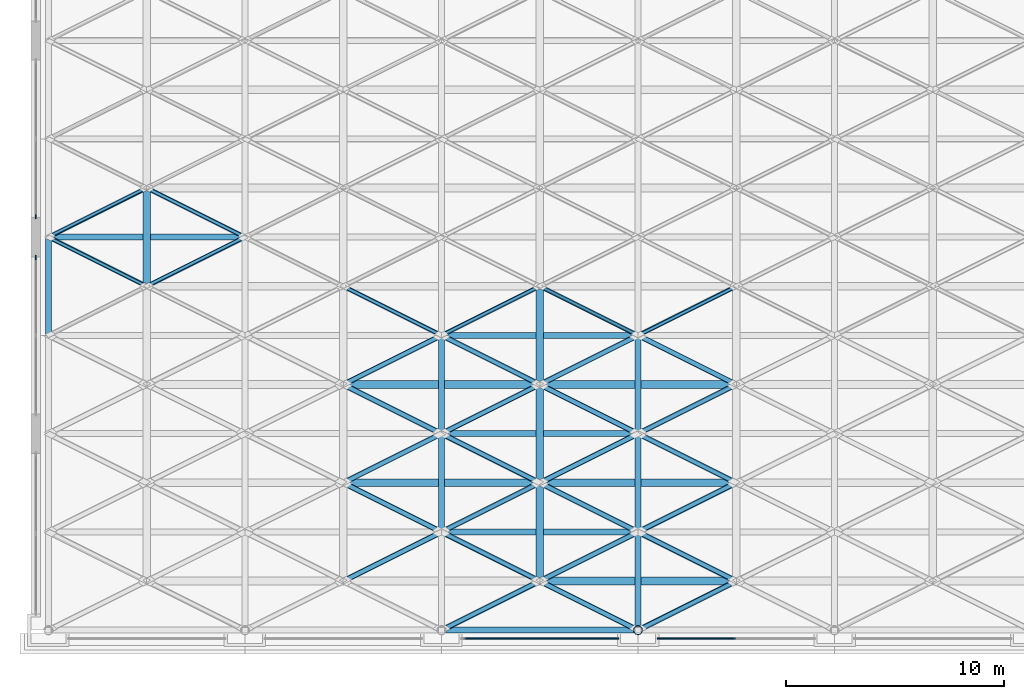
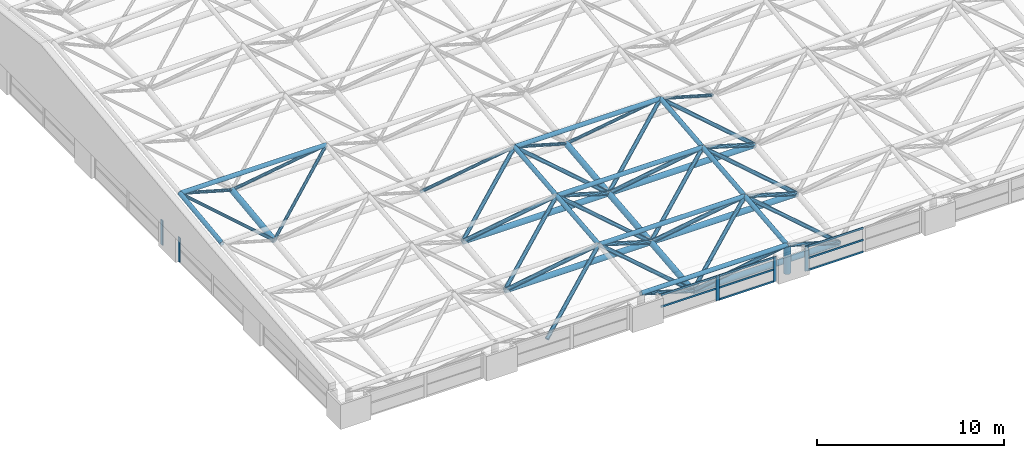
# One storey, part 3 of 53: 65 members, 4 elements without a shape of their own.
"""IFC4 building model written with IfcOpenShell, lengths in metres."""

from ifc_helpers import new_model, si_unit, direction, frame, origin, origin_2d, place, context, subcontext, project, spatial, rectangle, hollow_circle, extrude, material, material_profile, profile_set, type_object, element, aggregate, save


model = new_model("IFC4")

# Units and contexts
model_context = context("Model", 3, precision=1e-05, world=origin(), true_north=direction((0.0, 1.0)))
body_context = subcontext(model_context, "Body", "Model", "MODEL_VIEW")
ifc_project = project(units=[si_unit("LENGTHUNIT", "METRE"), si_unit("AREAUNIT", "SQUARE_METRE"), si_unit("VOLUMEUNIT", "CUBIC_METRE"), si_unit("PLANEANGLEUNIT", "RADIAN"), si_unit("MASSUNIT", "GRAM", prefix="KILO")], contexts=[model_context])

# Site, building, storey
site_placement = place(None, origin())
site = spatial("IfcSite", under=ifc_project, at=site_placement, CompositionType="ELEMENT")
building_placement = place(site_placement, origin())
building = spatial("IfcBuilding", under=site, at=building_placement, Name="Aravalli Gate Trade Fair Centre", CompositionType="ELEMENT")
storey_placement = place(building_placement, frame((0.0, 0.0, 25.199951171875)))
storey = spatial("IfcBuildingStorey", under=building, at=storey_placement, Name="ROOF LEVEL 2", CompositionType="ELEMENT", Elevation=25.199951171875)

# Members
ifc_material_1 = material(Name="Steel E350", Category="steel")
ifc_material_profile_1 = material_profile(ifc_material_1, hollow_circle(Radius=0.096923828125, WallThickness=0.00634765625, at=origin_2d()), Name="CHS 193.7x6.3")
ifc_profile_set_1 = profile_set([ifc_material_profile_1], Name="Steel E350")
member_type_1 = type_object("IfcMemberType", Name="CHS 193.7x6.3", PredefinedType="BRACE", material=ifc_profile_set_1)
for number, where, z_axis, x_axis, name in (
    (1, (24.0, 59.5, 3.150146484375), (0.786469857322, 0.393234928661, -0.476268258867), (-0.4472135955, 0.894427191, 0.0), "Space frame web diagonal D2A"),
    (2, (33.0, 59.5, 3.150146484375), (0.786469857322, 0.393234928661, -0.476268258867), (-0.4472135955, 0.894427191, 0.0), "Space frame web diagonal D2A"),
    (3, (6.0, 64.0, 3.699951171875), (0.786485839543, 0.393242919772, -0.476235267749), (-0.4472135955, 0.894427191, 0.0), "Space frame web diagonal D2A"),
    (4, (24.0, 59.5, 3.150146484375), (-0.786469857322, 0.393234928661, -0.476268258867), (-0.4472135955, -0.894427191, 0.0), "Space frame web diagonal D2B"),
    (5, (33.0, 59.5, 3.150146484375), (-0.786469857322, 0.393234928661, -0.476268258867), (-0.4472135955, -0.894427191, 0.0), "Space frame web diagonal D2B"),
    (6, (15.0, 64.0, 3.699951171875), (-0.786485839543, 0.393242919772, -0.476235267749), (-0.4472135955, -0.894427191, 0.0), "Space frame web diagonal D2B"),
):
    element("IfcMember", number, at=place(storey_placement, frame(where, z_axis=z_axis, x_axis=x_axis)), inside=storey, type_object=member_type_1, Name=name, PredefinedType="BRACE", context=body_context, shape_type="SweptSolid", body=[
        extrude(hollow_circle(Radius=0.096923828125, WallThickness=0.00634765625, at=origin_2d()), origin(), (0.0, 0.0, 1.0), 5.7216796875),
    ])
for number, where, z_axis, x_axis, name in (
    (7, (6.0, 64.0, 3.699951171875), (0.749609832162, -0.374804916081, -0.545533110277), (0.4472135955, 0.894427191, 0.0), "Space frame web diagonal D2C"),
    (8, (15.0, 64.0, 3.699951171875), (-0.749609832162, -0.374804916081, -0.545533110277), (0.4472135955, -0.894427191, 0.0), "Space frame web diagonal D2D"),
):
    element("IfcMember", number, at=place(storey_placement, frame(where, z_axis=z_axis, x_axis=x_axis)), inside=storey, type_object=member_type_1, Name=name, PredefinedType="BRACE", context=body_context, shape_type="SweptSolid", body=[
        extrude(hollow_circle(Radius=0.096923828125, WallThickness=0.00634765625, at=origin_2d()), origin(), (0.0, 0.0, 1.0), 6.003173828125),
    ])
ifc_material_profile_2 = material_profile(ifc_material_1, hollow_circle(Radius=0.122314453125, WallThickness=0.008056640625, at=origin_2d()), Name="CHS 244.5x8")
ifc_profile_set_2 = profile_set([ifc_material_profile_2], Name="Steel E350")
member_type_2 = type_object("IfcMemberType", Name="CHS 244.5x8", PredefinedType="BRACE", material=ifc_profile_set_2)
for number, where, z_axis, x_axis, name in (
    (9, (24.0, 46.0, 1.800048828125), (0.783200147531, 0.391600073766, -0.48295642778), (-0.4472135955, 0.894427191, 0.0), "Space frame web diagonal D1A"),
    (10, (33.0, 46.0, 1.800048828125), (0.783200147531, 0.391600073766, -0.48295642778), (-0.4472135955, 0.894427191, 0.0), "Space frame web diagonal D1A"),
    (11, (24.0, 50.5, 2.25), (0.783200147531, 0.391600073766, -0.48295642778), (-0.4472135955, 0.894427191, 0.0), "Space frame web diagonal D1A"),
    (12, (33.0, 50.5, 2.25), (0.783200147531, 0.391600073766, -0.48295642778), (-0.4472135955, 0.894427191, 0.0), "Space frame web diagonal D1A"),
    (13, (24.0, 55.0, 2.699951171875), (0.783200147531, 0.391600073766, -0.48295642778), (-0.4472135955, 0.894427191, 0.0), "Space frame web diagonal D1A"),
    (14, (33.0, 55.0, 2.699951171875), (0.783200147531, 0.391600073766, -0.48295642778), (-0.4472135955, 0.894427191, 0.0), "Space frame web diagonal D1A"),
    (15, (33.0, 46.0, 1.800048828125), (-0.783200147531, 0.391600073766, -0.48295642778), (-0.4472135955, -0.894427191, 0.0), "Space frame web diagonal D1B"),
    (16, (24.0, 50.5, 2.25), (-0.783200147531, 0.391600073766, -0.48295642778), (-0.4472135955, -0.894427191, 0.0), "Space frame web diagonal D1B"),
    (17, (33.0, 50.5, 2.25), (-0.783200147531, 0.391600073766, -0.48295642778), (-0.4472135955, -0.894427191, 0.0), "Space frame web diagonal D1B"),
    (18, (24.0, 55.0, 2.699951171875), (-0.783200147531, 0.391600073766, -0.48295642778), (-0.4472135955, -0.894427191, 0.0), "Space frame web diagonal D1B"),
    (19, (33.0, 55.0, 2.699951171875), (-0.783200147531, 0.391600073766, -0.48295642778), (-0.4472135955, -0.894427191, 0.0), "Space frame web diagonal D1B"),
):
    element("IfcMember", number, at=place(storey_placement, frame(where, z_axis=z_axis, x_axis=x_axis)), inside=storey, type_object=member_type_2, Name=name, PredefinedType="BRACE", context=body_context, shape_type="SweptSolid", body=[
        extrude(hollow_circle(Radius=0.122314453125, WallThickness=0.008056640625, at=origin_2d()), origin(), (0.0, 0.0, 1.0), 5.74560546875),
    ])
for number, where, z_axis, x_axis, name in (
    (20, (24.0, 50.5, 2.25), (0.753016221047, -0.376508110523, -0.539637112837), (0.4472135955, 0.894427191, 0.0), "Space frame web diagonal D1C"),
    (21, (33.0, 50.5, 2.25), (0.753016221047, -0.376508110523, -0.539637112837), (0.4472135955, 0.894427191, 0.0), "Space frame web diagonal D1C"),
    (22, (24.0, 55.0, 2.699951171875), (0.753016221047, -0.376508110523, -0.539637112837), (0.4472135955, 0.894427191, 0.0), "Space frame web diagonal D1C"),
    (23, (33.0, 55.0, 2.699951171875), (0.753016221047, -0.376508110523, -0.539637112837), (0.4472135955, 0.894427191, 0.0), "Space frame web diagonal D1C"),
    (24, (24.0, 59.5, 3.150146484375), (0.752999619823, -0.376499809912, -0.539666068678), (0.4472135955, 0.894427191, 0.0), "Space frame web diagonal D1C"),
    (25, (33.0, 59.5, 3.150146484375), (0.752999619823, -0.376499809912, -0.539666068678), (0.4472135955, 0.894427191, 0.0), "Space frame web diagonal D1C"),
    (26, (24.0, 50.5, 2.25), (-0.753016221047, -0.376508110523, -0.539637112837), (0.4472135955, -0.894427191, 0.0), "Space frame web diagonal D1D"),
    (27, (33.0, 50.5, 2.25), (-0.753016221047, -0.376508110523, -0.539637112837), (0.4472135955, -0.894427191, 0.0), "Space frame web diagonal D1D"),
    (28, (24.0, 55.0, 2.699951171875), (-0.753016221047, -0.376508110523, -0.539637112837), (0.4472135955, -0.894427191, 0.0), "Space frame web diagonal D1D"),
    (29, (33.0, 55.0, 2.699951171875), (-0.753016221047, -0.376508110523, -0.539637112837), (0.4472135955, -0.894427191, 0.0), "Space frame web diagonal D1D"),
    (30, (24.0, 59.5, 3.150146484375), (-0.752999619823, -0.376499809912, -0.539666068678), (0.4472135955, -0.894427191, 0.0), "Space frame web diagonal D1D"),
    (31, (33.0, 59.5, 3.150146484375), (-0.752999619823, -0.376499809912, -0.539666068678), (0.4472135955, -0.894427191, 0.0), "Space frame web diagonal D1D"),
):
    element("IfcMember", number, at=place(storey_placement, frame(where, z_axis=z_axis, x_axis=x_axis)), inside=storey, type_object=member_type_2, Name=name, PredefinedType="BRACE", context=body_context, shape_type="SweptSolid", body=[
        extrude(hollow_circle(Radius=0.122314453125, WallThickness=0.008056640625, at=origin_2d()), origin(), (0.0, 0.0, 1.0), 5.97607421875),
    ])
ifc_material_profile_3 = material_profile(ifc_material_1, hollow_circle(Radius=0.136474609375, WallThickness=0.010009765625, at=origin_2d()), Name="CHS 273.1x10")
ifc_profile_set_3 = profile_set([ifc_material_profile_3], Name="Steel E350")
member_type_3 = type_object("IfcMemberType", Name="CHS 273.1x10", PredefinedType="CHORD", material=ifc_profile_set_3)
for number, where, z_axis, x_axis, name in (
    (32, (24.0, 50.5, 2.25), (1.0, 0.0, 0.0), (0.0, 1.0, 0.0), "Space frame top chord along the lines T1"),
    (33, (24.0, 55.0, 2.699951171875), (1.0, 0.0, 0.0), (0.0, 1.0, 0.0), "Space frame top chord along the lines T1"),
    (34, (24.0, 59.5, 3.150146484375), (1.0, 0.0, 0.0), (0.0, 1.0, 0.0), "Space frame top chord along the lines T2"),
    (35, (6.0, 64.0, 3.699951171875), (1.0, 0.0, 0.0), (0.0, 1.0, 0.0), "Space frame top chord along the lines T2"),
):
    element("IfcMember", number, at=place(storey_placement, frame(where, z_axis=z_axis, x_axis=x_axis)), inside=storey, type_object=member_type_3, Name=name, PredefinedType="CHORD", context=body_context, shape_type="SweptSolid", body=[
        extrude(hollow_circle(Radius=0.136474609375, WallThickness=0.010009765625, at=origin_2d()), origin(), (0.0, 0.0, 1.0), 9.0),
    ])
for number, where, z_axis, x_axis, name in (
    (36, (24.0, 50.5, 2.25), (0.0, 0.995038259148, 0.099493029059), (-1.0, 0.0, 0.0), "Space frame top chord across the vault Y1"),
    (37, (24.0, 55.0, 2.699951171875), (0.0, 0.995032913332, 0.099546478526), (-1.0, 0.0, 0.0), "Space frame top chord across the vault Y1"),
    (38, (33.0, 46.0, 1.800048828125), (0.0, 0.995038259148, 0.099493029059), (-1.0, 0.0, 0.0), "Space frame top chord across the vault Y1"),
    (39, (33.0, 50.5, 2.25), (0.0, 0.995038259148, 0.099493029059), (-1.0, 0.0, 0.0), "Space frame top chord across the vault Y1"),
    (40, (33.0, 55.0, 2.699951171875), (0.0, 0.995032913332, 0.099546478526), (-1.0, 0.0, 0.0), "Space frame top chord across the vault Y1"),
):
    element("IfcMember", number, at=place(storey_placement, frame(where, z_axis=z_axis, x_axis=x_axis)), inside=storey, type_object=member_type_3, Name=name, PredefinedType="CHORD", context=body_context, shape_type="SweptSolid", body=[
        extrude(hollow_circle(Radius=0.136474609375, WallThickness=0.010009765625, at=origin_2d()), origin(), (0.0, 0.0, 1.0), 4.5224609375),
    ])
ifc_material_profile_4 = material_profile(ifc_material_1, hollow_circle(Radius=0.136474609375, WallThickness=0.01611328125, at=origin_2d()), Name="CHS 273.1x16")
ifc_profile_set_4 = profile_set([ifc_material_profile_4], Name="Steel E350")
member_type_4 = type_object("IfcMemberType", Name="CHS 273.1x16", PredefinedType="CHORD", material=ifc_profile_set_4)
member_1_placement = place(storey_placement, frame((24.0, 46.0, 1.800048828125), z_axis=(1.0, 0.0, 0.0), x_axis=(0.0, 1.0, 0.0)))
element("IfcMember", 41, at=member_1_placement, inside=storey, type_object=member_type_4, Name="Space frame top chord along the lines TE", PredefinedType="CHORD", context=body_context, shape_type="SweptSolid", body=[
    extrude(hollow_circle(Radius=0.136474609375, WallThickness=0.01611328125, at=origin_2d()), origin(), (0.0, 0.0, 1.0), 9.0),
])
member_2_placement = place(storey_placement, frame((6.0, 59.5, 3.150146484375), z_axis=(0.0, 0.992618705116, 0.12127698155), x_axis=(-1.0, 0.0, 0.0)))
element("IfcMember", 42, at=member_2_placement, inside=storey, type_object=member_type_4, Name="Space frame edge chord at the end lines YE2", PredefinedType="CHORD", context=body_context, shape_type="SweptSolid", body=[
    extrude(hollow_circle(Radius=0.136474609375, WallThickness=0.01611328125, at=origin_2d()), origin(), (0.0, 0.0, 1.0), 4.533447265625),
])
ifc_material_profile_5 = material_profile(ifc_material_1, hollow_circle(Radius=0.177734375, WallThickness=0.010009765625, at=origin_2d()), Name="CHS 355.6x10")
ifc_profile_set_5 = profile_set([ifc_material_profile_5], Name="Steel E350")
member_type_5 = type_object("IfcMemberType", Name="CHS 355.6x10", PredefinedType="CHORD", material=ifc_profile_set_5)
for number, where, z_axis, x_axis, name in (
    (43, (19.5, 52.75, -0.52490234375), (1.0, 0.0, 0.0), (0.0, 1.0, 0.0), "Space frame bottom chord along the lines B1"),
    (44, (28.5, 52.75, -0.52490234375), (1.0, 0.0, 0.0), (0.0, 1.0, 0.0), "Space frame bottom chord along the lines B1"),
    (45, (19.5, 57.25, -0.074951171875), (1.0, 0.0, 0.0), (0.0, 1.0, 0.0), "Space frame bottom chord along the lines B1"),
    (46, (28.5, 57.25, -0.074951171875), (1.0, 0.0, 0.0), (0.0, 1.0, 0.0), "Space frame bottom chord along the lines B1"),
):
    element("IfcMember", number, at=place(storey_placement, frame(where, z_axis=z_axis, x_axis=x_axis)), inside=storey, type_object=member_type_5, Name=name, PredefinedType="CHORD", context=body_context, shape_type="SweptSolid", body=[
        extrude(hollow_circle(Radius=0.177734375, WallThickness=0.010009765625, at=origin_2d()), origin(), (0.0, 0.0, 1.0), 9.0),
    ])
for number, where, z_axis, x_axis, name in (
    (47, (28.5, 48.25, -0.974853515625), (0.0, 0.995038259148, 0.099493029059), (-1.0, 0.0, 0.0), "Space frame bottom chord across the vault C1"),
    (48, (28.5, 52.75, -0.52490234375), (0.0, 0.995038259148, 0.099493029059), (-1.0, 0.0, 0.0), "Space frame bottom chord across the vault C1"),
):
    element("IfcMember", number, at=place(storey_placement, frame(where, z_axis=z_axis, x_axis=x_axis)), inside=storey, type_object=member_type_5, Name=name, PredefinedType="CHORD", context=body_context, shape_type="SweptSolid", body=[
        extrude(hollow_circle(Radius=0.177734375, WallThickness=0.010009765625, at=origin_2d()), origin(), (0.0, 0.0, 1.0), 4.5224609375),
    ])
member_3_placement = place(storey_placement, frame((28.5, 57.25, -0.074951171875), z_axis=(0.0, 0.993883734674, 0.110431526075), x_axis=(-1.0, 0.0, 0.0)))
element("IfcMember", 49, at=member_3_placement, inside=storey, type_object=member_type_5, Name="Space frame bottom chord across the vault C2", PredefinedType="CHORD", context=body_context, shape_type="SweptSolid", body=[
    extrude(hollow_circle(Radius=0.177734375, WallThickness=0.010009765625, at=origin_2d()), origin(), (0.0, 0.0, 1.0), 4.527587890625),
])
member_4_placement = place(storey_placement, frame((10.5, 61.75, 0.425048828125), z_axis=(0.0, 0.992612220818, 0.121330041965), x_axis=(-1.0, 0.0, 0.0)))
element("IfcMember", 50, at=member_4_placement, inside=storey, type_object=member_type_5, Name="Space frame bottom chord across the vault C3", PredefinedType="CHORD", context=body_context, shape_type="SweptSolid", body=[
    extrude(hollow_circle(Radius=0.177734375, WallThickness=0.010009765625, at=origin_2d()), origin(), (0.0, 0.0, 1.0), 4.533447265625),
])
ifc_material_profile_6 = material_profile(ifc_material_1, hollow_circle(Radius=0.177734375, WallThickness=0.01611328125, at=origin_2d()), Name="CHS 355.6x16")
ifc_profile_set_6 = profile_set([ifc_material_profile_6], Name="Steel E350")
member_type_6 = type_object("IfcMemberType", Name="CHS 355.6x16", PredefinedType="CHORD", material=ifc_profile_set_6)
member_5_placement = place(storey_placement, frame((28.5, 48.25, -0.974853515625), z_axis=(1.0, 0.0, 0.0), x_axis=(0.0, 1.0, 0.0)))
element("IfcMember", 51, at=member_5_placement, inside=storey, type_object=member_type_6, Name="Space frame bottom chord along the lines BE", PredefinedType="CHORD", context=body_context, shape_type="SweptSolid", body=[
    extrude(hollow_circle(Radius=0.177734375, WallThickness=0.01611328125, at=origin_2d()), origin(), (0.0, 0.0, 1.0), 9.0),
])
ifc_material_profile_7 = material_profile(ifc_material_1, hollow_circle(Radius=0.203125, WallThickness=0.01611328125, at=origin_2d()), Name="CHS 406.4x16")
ifc_profile_set_7 = profile_set([ifc_material_profile_7], Name="Steel E350")
member_type_7 = type_object("IfcMemberType", Name="CHS 406.4x16", PredefinedType="POST", material=ifc_profile_set_7)
member_6_placement = place(storey_placement, frame((33.0, 46.0, 0.0), z_axis=(0.0, 0.0, 1.0), x_axis=(1.0, 0.0, 0.0)))
element("IfcMember", 52, at=member_6_placement, inside=storey, type_object=member_type_7, Name="Space frame bearing post P1", PredefinedType="POST", context=body_context, shape_type="SweptSolid", body=[
    extrude(hollow_circle(Radius=0.203125, WallThickness=0.01611328125, at=origin_2d()), origin(), (0.0, 0.0, 1.0), 1.800048828125),
])

# Curtain wall, members
ifc_material_2 = material(Name="Aluminium, glass and louvre", Category="aluminium")
curtain_wall_type = type_object("IfcCurtainWallType", Name="Hall crown curtain wall 3000 module", PredefinedType="NOTDEFINED", material=ifc_material_2)
curtain_wall_1_placement = place(storey_placement, origin())
curtain_wall_1 = element("IfcCurtainWall", 53, at=curtain_wall_1_placement, inside=storey, type_object=curtain_wall_type, Name="Hall south crown curtain wall bay 3 ROOF LEVEL 2", PredefinedType="NOTDEFINED")
ifc_material_3 = material(Name="Aluminium", Category="aluminium")
ifc_material_profile_8 = material_profile(ifc_material_3, rectangle(XDim=0.06005859375, YDim=0.199951171875, at=origin_2d()), Name="Hall curtain wall mullion 60 x 200")
ifc_profile_set_8 = profile_set([ifc_material_profile_8], Name="Aluminium")
member_type_8 = type_object("IfcMemberType", Name="Hall curtain wall mullion 60 x 200", PredefinedType="MULLION", material=ifc_profile_set_8)
member_7_placement = place(storey_placement, frame((28.5, 45.625, 0.0), z_axis=(0.0, 0.0, 1.0), x_axis=(0.0, 1.0, 0.0)))
member_7 = element("IfcMember", 54, at=member_7_placement, type_object=member_type_8, Name="HCW1 mullion 2", PredefinedType="MULLION", context=body_context, shape_type="SweptSolid", body=[
    extrude(rectangle(XDim=0.06005859375, YDim=0.199951171875, at=origin_2d()), origin(), (0.0, 0.0, 1.0), 1.60009765625),
])
member_8_placement = place(storey_placement, frame((32.02001953125, 45.625, 0.0), z_axis=(0.0, 0.0, 1.0), x_axis=(0.0, 1.0, 0.0)))
member_8 = element("IfcMember", 55, at=member_8_placement, type_object=member_type_8, Name="HCW1 mullion 3", PredefinedType="MULLION", context=body_context, shape_type="SweptSolid", body=[
    extrude(rectangle(XDim=0.06005859375, YDim=0.199951171875, at=origin_2d()), origin(), (0.0, 0.0, 1.0), 1.60009765625),
])

# Curtain wall, member
curtain_wall_2_placement = place(storey_placement, origin())
curtain_wall_2 = element("IfcCurtainWall", 56, at=curtain_wall_2_placement, inside=storey, type_object=curtain_wall_type, Name="Hall south crown curtain wall bay 4 ROOF LEVEL 2", PredefinedType="NOTDEFINED")
member_9_placement = place(storey_placement, frame((33.97998046875, 45.625, 0.0), z_axis=(0.0, 0.0, 1.0), x_axis=(0.0, 1.0, 0.0)))
member_9 = element("IfcMember", 57, at=member_9_placement, type_object=member_type_8, Name="HCW1 mullion 1", PredefinedType="MULLION", context=body_context, shape_type="SweptSolid", body=[
    extrude(rectangle(XDim=0.06005859375, YDim=0.199951171875, at=origin_2d()), origin(), (0.0, 0.0, 1.0), 1.60009765625),
])

curtain_wall_3_placement = place(storey_placement, origin())
curtain_wall_3 = element("IfcCurtainWall", 58, at=curtain_wall_3_placement, inside=storey, type_object=curtain_wall_type, Name="Hall west crown curtain wall 2 ROOF LEVEL 2", PredefinedType="NOTDEFINED")
member_10_placement = place(storey_placement, frame((5.425048828125, 63.070068359375, 0.0), z_axis=(0.0, 0.0, 1.0), x_axis=(-1.0, 0.0, 0.0)))
member_10 = element("IfcMember", 59, at=member_10_placement, type_object=member_type_8, Name="HCW1 mullion 3", PredefinedType="MULLION", context=body_context, shape_type="SweptSolid", body=[
    extrude(rectangle(XDim=0.06005859375, YDim=0.199951171875, at=origin_2d()), origin(), (0.0, 0.0, 1.0), 1.60009765625),
])
aggregate(curtain_wall_3, [member_10])

curtain_wall_4_placement = place(storey_placement, origin())
curtain_wall_4 = element("IfcCurtainWall", 60, at=curtain_wall_4_placement, inside=storey, type_object=curtain_wall_type, Name="Hall west crown curtain wall 3 ROOF LEVEL 2", PredefinedType="NOTDEFINED")
member_11_placement = place(storey_placement, frame((5.425048828125, 64.929931640625, 0.0), z_axis=(0.0, 0.0, 1.0), x_axis=(-1.0, 0.0, 0.0)))
member_11 = element("IfcMember", 61, at=member_11_placement, type_object=member_type_8, Name="HCW1 mullion 1", PredefinedType="MULLION", context=body_context, shape_type="SweptSolid", body=[
    extrude(rectangle(XDim=0.06005859375, YDim=0.199951171875, at=origin_2d()), origin(), (0.0, 0.0, 1.0), 1.60009765625),
])
aggregate(curtain_wall_4, [member_11])

# Member
ifc_material_profile_9 = material_profile(ifc_material_3, rectangle(XDim=0.06005859375, YDim=0.1201171875, at=origin_2d()), Name="Hall curtain wall transom 60 x 120")
ifc_profile_set_9 = profile_set([ifc_material_profile_9], Name="Aluminium")
member_type_9 = type_object("IfcMemberType", Name="Hall curtain wall transom 60 x 120", PredefinedType="USERDEFINED", material=ifc_profile_set_9)
member_12_placement = place(storey_placement, frame((25.010009765625, 45.625, 0.800048828125), z_axis=(1.0, 0.0, 0.0), x_axis=(0.0, 1.0, 0.0)))
member_12 = element("IfcMember", 62, at=member_12_placement, type_object=member_type_9, Name="HCW1 transom 1.2", ObjectType="TRANSOM", PredefinedType="USERDEFINED", context=body_context, shape_type="SweptSolid", body=[
    extrude(rectangle(XDim=0.06005859375, YDim=0.1201171875, at=origin_2d()), origin(), (0.0, 0.0, 1.0), 3.4599609375),
])

member_13_placement = place(storey_placement, frame((25.010009765625, 45.625, 1.570068359375), z_axis=(1.0, 0.0, 0.0), x_axis=(0.0, 1.0, 0.0)))
member_13 = element("IfcMember", 63, at=member_13_placement, type_object=member_type_9, Name="HCW1 transom 1.3", ObjectType="TRANSOM", PredefinedType="USERDEFINED", context=body_context, shape_type="SweptSolid", body=[
    extrude(rectangle(XDim=0.06005859375, YDim=0.1201171875, at=origin_2d()), origin(), (0.0, 0.0, 1.0), 3.4599609375),
])

member_14_placement = place(storey_placement, frame((28.530029296875, 45.625, 0.030029296875), z_axis=(1.0, 0.0, 0.0), x_axis=(0.0, 1.0, 0.0)))
member_14 = element("IfcMember", 64, at=member_14_placement, type_object=member_type_9, Name="HCW1 transom 2.1", ObjectType="TRANSOM", PredefinedType="USERDEFINED", context=body_context, shape_type="SweptSolid", body=[
    extrude(rectangle(XDim=0.06005859375, YDim=0.1201171875, at=origin_2d()), origin(), (0.0, 0.0, 1.0), 3.4599609375),
])

member_15_placement = place(storey_placement, frame((28.530029296875, 45.625, 0.800048828125), z_axis=(1.0, 0.0, 0.0), x_axis=(0.0, 1.0, 0.0)))
member_15 = element("IfcMember", 65, at=member_15_placement, type_object=member_type_9, Name="HCW1 transom 2.2", ObjectType="TRANSOM", PredefinedType="USERDEFINED", context=body_context, shape_type="SweptSolid", body=[
    extrude(rectangle(XDim=0.06005859375, YDim=0.1201171875, at=origin_2d()), origin(), (0.0, 0.0, 1.0), 3.4599609375),
])

member_16_placement = place(storey_placement, frame((28.530029296875, 45.625, 1.570068359375), z_axis=(1.0, 0.0, 0.0), x_axis=(0.0, 1.0, 0.0)))
member_16 = element("IfcMember", 66, at=member_16_placement, type_object=member_type_9, Name="HCW1 transom 2.3", ObjectType="TRANSOM", PredefinedType="USERDEFINED", context=body_context, shape_type="SweptSolid", body=[
    extrude(rectangle(XDim=0.06005859375, YDim=0.1201171875, at=origin_2d()), origin(), (0.0, 0.0, 1.0), 3.4599609375),
])

aggregate(curtain_wall_1, [member_7, member_8, member_12, member_13, member_14, member_15, member_16])

member_17_placement = place(storey_placement, frame((34.010009765625, 45.625, 0.030029296875), z_axis=(1.0, 0.0, 0.0), x_axis=(0.0, 1.0, 0.0)))
member_17 = element("IfcMember", 67, at=member_17_placement, type_object=member_type_9, Name="HCW1 transom 1.1", ObjectType="TRANSOM", PredefinedType="USERDEFINED", context=body_context, shape_type="SweptSolid", body=[
    extrude(rectangle(XDim=0.06005859375, YDim=0.1201171875, at=origin_2d()), origin(), (0.0, 0.0, 1.0), 3.4599609375),
])

member_18_placement = place(storey_placement, frame((34.010009765625, 45.625, 0.800048828125), z_axis=(1.0, 0.0, 0.0), x_axis=(0.0, 1.0, 0.0)))
member_18 = element("IfcMember", 68, at=member_18_placement, type_object=member_type_9, Name="HCW1 transom 1.2", ObjectType="TRANSOM", PredefinedType="USERDEFINED", context=body_context, shape_type="SweptSolid", body=[
    extrude(rectangle(XDim=0.06005859375, YDim=0.1201171875, at=origin_2d()), origin(), (0.0, 0.0, 1.0), 3.4599609375),
])

member_19_placement = place(storey_placement, frame((34.010009765625, 45.625, 1.570068359375), z_axis=(1.0, 0.0, 0.0), x_axis=(0.0, 1.0, 0.0)))
member_19 = element("IfcMember", 69, at=member_19_placement, type_object=member_type_9, Name="HCW1 transom 1.3", ObjectType="TRANSOM", PredefinedType="USERDEFINED", context=body_context, shape_type="SweptSolid", body=[
    extrude(rectangle(XDim=0.06005859375, YDim=0.1201171875, at=origin_2d()), origin(), (0.0, 0.0, 1.0), 3.4599609375),
])

aggregate(curtain_wall_2, [member_9, member_17, member_18, member_19])

save(model, "model.ifc")
